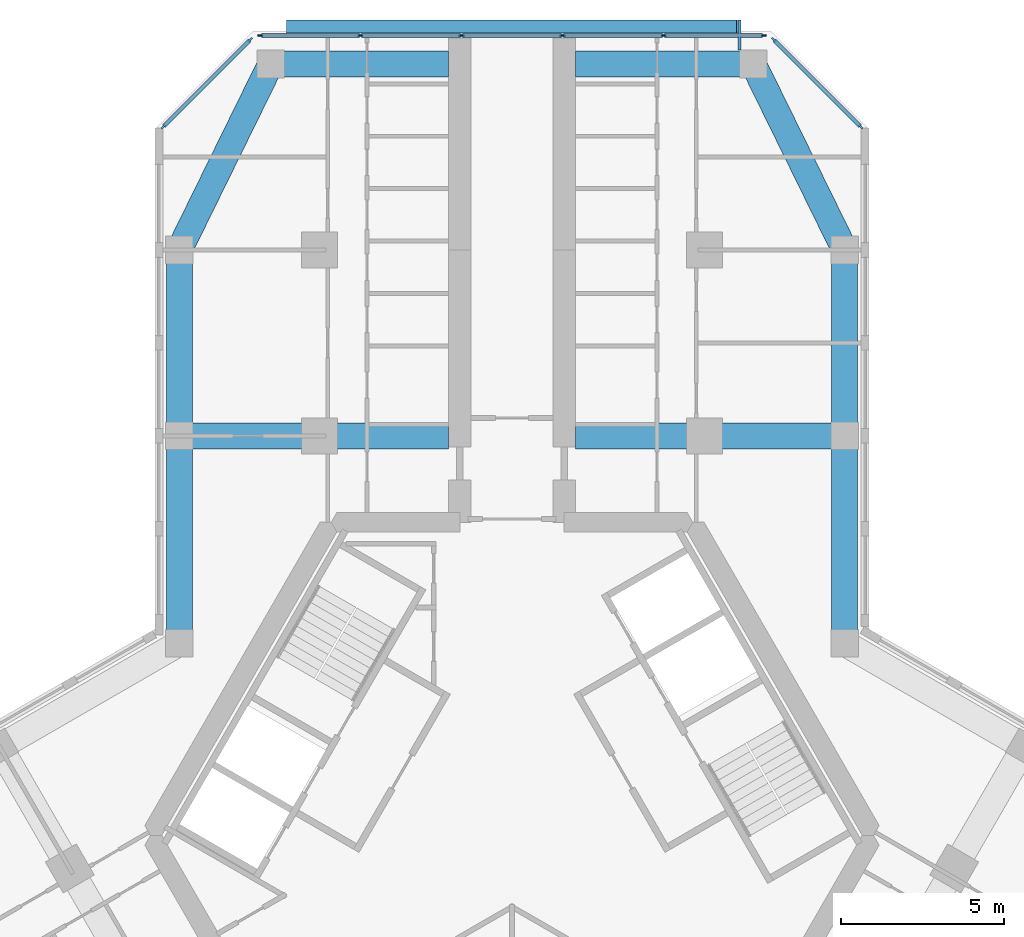
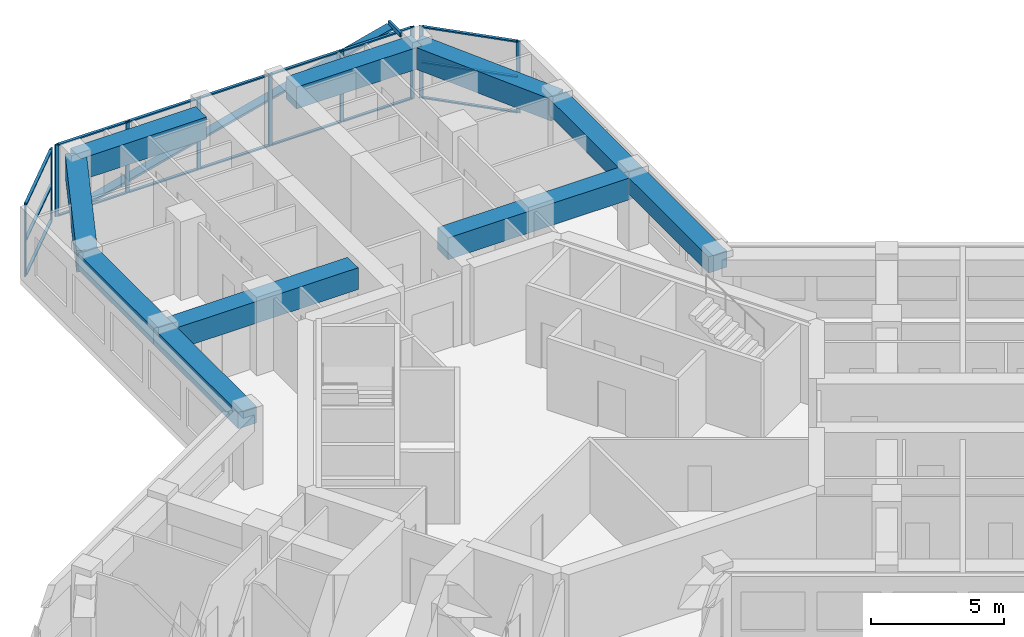
# One storey, part 6 of 16: 28 members, 10 beams, 3 elements without a shape of their own.
"""IFC4 building model written with IfcOpenShell, lengths in metres."""

from ifc_helpers import new_model, si_unit, direction, frame, origin, origin_2d, place, context, subcontext, project, spatial, rectangle, hollow_rectangle, extrude, material, material_profile, profile_set, type_object, element, aggregate, save


model = new_model("IFC4")

# Units and contexts
model_context = context("Model", 3, precision=1e-05, world=origin(), true_north=direction((0.0, 1.0)))
body_context = subcontext(model_context, "Body", "Model", "MODEL_VIEW")
ifc_project = project(units=[si_unit("LENGTHUNIT", "METRE"), si_unit("AREAUNIT", "SQUARE_METRE"), si_unit("VOLUMEUNIT", "CUBIC_METRE"), si_unit("PLANEANGLEUNIT", "RADIAN"), si_unit("MASSUNIT", "GRAM", prefix="KILO")], contexts=[model_context])

# Site, building, storey
site_placement = place(None, origin())
site = spatial("IfcSite", under=ifc_project, at=site_placement, CompositionType="ELEMENT")
building_placement = place(site_placement, origin())
building = spatial("IfcBuilding", under=site, at=building_placement, Name="Kosmar Iwan School Tower", CompositionType="ELEMENT")
storey_placement = place(building_placement, frame((0.0, 0.0, 256.800048828125)))
storey = spatial("IfcBuildingStorey", under=building, at=storey_placement, Name="L65", CompositionType="ELEMENT", Elevation=256.800048828125)

# Beams
ifc_material_1 = material(Name="Concrete C50/60", Category="concrete")
ifc_material_profile_1 = material_profile(ifc_material_1, rectangle(XDim=0.800048828125, YDim=0.75, at=origin_2d()), Name="RC 800x750 + HD 400x634")
ifc_profile_set_1 = profile_set([ifc_material_profile_1], Name="Concrete C50/60")
beam_type_1 = type_object("IfcBeamType", Name="Composite edge beam 800x750 HD 400x634", PredefinedType="BEAM", material=ifc_profile_set_1)
beam_1_placement = place(storey_placement, frame((-10.199951171875, 5.888916015625, 2.925048828125), z_axis=(0.0, 1.0, 0.0), x_axis=(-1.0, 0.0, 0.0)))
element("IfcBeam", 1, at=beam_1_placement, inside=storey, type_object=beam_type_1, Name="Edge beam AL1", PredefinedType="BEAM", context=body_context, shape_type="SweptSolid", body=[
    extrude(rectangle(XDim=0.800048828125, YDim=0.75, at=origin_2d()), origin(), (0.0, 0.0, 1.0), 6.361083984375),
])
beam_2_placement = place(storey_placement, frame((-10.199951171875, 12.25, 2.925048828125), z_axis=(0.0, 1.0, 0.0), x_axis=(-1.0, 0.0, 0.0)))
element("IfcBeam", 2, at=beam_2_placement, inside=storey, type_object=beam_type_1, Name="Edge beam AL2", PredefinedType="BEAM", context=body_context, shape_type="SweptSolid", body=[
    extrude(rectangle(XDim=0.800048828125, YDim=0.75, at=origin_2d()), origin(), (0.0, 0.0, 1.0), 5.699951171875),
])
beam_3_placement = place(storey_placement, frame((10.199951171875, 5.888916015625, 2.925048828125), z_axis=(0.0, 1.0, 0.0), x_axis=(-1.0, 0.0, 0.0)))
element("IfcBeam", 3, at=beam_3_placement, inside=storey, type_object=beam_type_1, Name="Edge beam AR1", PredefinedType="BEAM", context=body_context, shape_type="SweptSolid", body=[
    extrude(rectangle(XDim=0.800048828125, YDim=0.75, at=origin_2d()), origin(), (0.0, 0.0, 1.0), 6.361083984375),
])
beam_4_placement = place(storey_placement, frame((10.199951171875, 12.25, 2.925048828125), z_axis=(0.0, 1.0, 0.0), x_axis=(-1.0, 0.0, 0.0)))
element("IfcBeam", 4, at=beam_4_placement, inside=storey, type_object=beam_type_1, Name="Edge beam AR2", PredefinedType="BEAM", context=body_context, shape_type="SweptSolid", body=[
    extrude(rectangle(XDim=0.800048828125, YDim=0.75, at=origin_2d()), origin(), (0.0, 0.0, 1.0), 5.699951171875),
])
ifc_material_2 = material(Name="Concrete C50/60", Category="concrete")
ifc_material_profile_2 = material_profile(ifc_material_2, rectangle(XDim=0.800048828125, YDim=1.0, at=origin_2d()), Name="RC 800x1000 + HD 400x347")
ifc_profile_set_2 = profile_set([ifc_material_profile_2], Name="Concrete C50/60")
beam_type_2 = type_object("IfcBeamType", Name="Composite tip beam 800x1000 HD 400x347", PredefinedType="BEAM", material=ifc_profile_set_2)
beam_5_placement = place(storey_placement, frame((-10.199951171875, 17.949951171875, 2.800048828125), z_axis=(0.440913116462, 0.897549788999, 0.0), x_axis=(-0.897549788999, 0.440913116462, 0.0)))
element("IfcBeam", 5, at=beam_5_placement, inside=storey, type_object=beam_type_2, Name="Tip beam AL", PredefinedType="BEAM", context=body_context, shape_type="SweptSolid", body=[
    extrude(rectangle(XDim=0.800048828125, YDim=1.0, at=origin_2d()), origin(), (0.0, 0.0, 1.0), 6.3505859375),
])
beam_6_placement = place(storey_placement, frame((-7.39990234375, 23.64990234375, 2.800048828125), z_axis=(1.0, 0.0, 0.0), x_axis=(0.0, 1.0, 0.0)))
element("IfcBeam", 6, at=beam_6_placement, inside=storey, type_object=beam_type_2, Name="Tip beam AL to corridor wall", PredefinedType="BEAM", context=body_context, shape_type="SweptSolid", body=[
    extrude(rectangle(XDim=0.800048828125, YDim=1.0, at=origin_2d()), origin(), (0.0, 0.0, 1.0), 5.449951171875),
])
beam_7_placement = place(storey_placement, frame((10.199951171875, 17.949951171875, 2.800048828125), z_axis=(-0.440913116462, 0.897549788999, 0.0), x_axis=(-0.897549788999, -0.440913116462, 0.0)))
element("IfcBeam", 7, at=beam_7_placement, inside=storey, type_object=beam_type_2, Name="Tip beam AR", PredefinedType="BEAM", context=body_context, shape_type="SweptSolid", body=[
    extrude(rectangle(XDim=0.800048828125, YDim=1.0, at=origin_2d()), origin(), (0.0, 0.0, 1.0), 6.3505859375),
])
beam_8_placement = place(storey_placement, frame((7.39990234375, 23.64990234375, 2.800048828125), z_axis=(-1.0, 0.0, 0.0), x_axis=(0.0, -1.0, 0.0)))
element("IfcBeam", 8, at=beam_8_placement, inside=storey, type_object=beam_type_2, Name="Tip beam AR to corridor wall", PredefinedType="BEAM", context=body_context, shape_type="SweptSolid", body=[
    extrude(rectangle(XDim=0.800048828125, YDim=1.0, at=origin_2d()), origin(), (0.0, 0.0, 1.0), 5.449951171875),
])
ifc_material_3 = material(Name="Concrete C50/60", Category="concrete")
ifc_material_profile_3 = material_profile(ifc_material_3, rectangle(XDim=0.800048828125, YDim=1.0, at=origin_2d()), Name="RC 800x1000 + HD 400x634")
ifc_profile_set_3 = profile_set([ifc_material_profile_3], Name="Concrete C50/60")
beam_type_3 = type_object("IfcBeamType", Name="Composite transverse beam 800x1000 HD 400x634", PredefinedType="BEAM", material=ifc_profile_set_3)
for number, where, z_axis, x_axis, name in (
    (9, (-10.199951171875, 12.25, 2.800048828125), (1.0, 0.0, 0.0), (0.0, 1.0, 0.0), "Transverse beam AL1"),
    (10, (10.199951171875, 12.25, 2.800048828125), (-1.0, 0.0, 0.0), (0.0, -1.0, 0.0), "Transverse beam AR1"),
):
    element("IfcBeam", number, at=place(storey_placement, frame(where, z_axis=z_axis, x_axis=x_axis)), inside=storey, type_object=beam_type_3, Name=name, PredefinedType="BEAM", context=body_context, shape_type="SweptSolid", body=[
        extrude(rectangle(XDim=0.800048828125, YDim=1.0, at=origin_2d()), origin(), (0.0, 0.0, 1.0), 8.25),
    ])

# Members
ifc_material_4 = material(Name="Black anodised aluminium", Category="aluminium")
ifc_material_profile_4 = material_profile(ifc_material_4, rectangle(XDim=0.10009765625, YDim=0.39990234375, at=origin_2d()), Name="FIN 100x400")
ifc_profile_set_4 = profile_set([ifc_material_profile_4], Name="Black anodised aluminium")
member_type_1 = type_object("IfcMemberType", Name="Diagonal fin 100x400", PredefinedType="USERDEFINED", material=ifc_profile_set_4)
member_1_placement = place(storey_placement, frame((-6.898193359375, 24.800048828125, -0.150146484375), z_axis=(0.968452174919, 0.0, 0.249199488152), x_axis=(-0.249199488152, 0.0, 0.968452174919)))
element("IfcMember", 11, at=member_1_placement, inside=storey, type_object=member_type_1, Name="Diagonal fin L65-F06", ObjectType="FIN", PredefinedType="USERDEFINED", context=body_context, shape_type="SweptSolid", body=[
    extrude(rectangle(XDim=0.10009765625, YDim=0.39990234375, at=origin_2d()), origin(), (0.0, 0.0, 1.0), 14.245849609375),
])
ifc_material_5 = material(Name="Steel S355", Category="steel")
ifc_material_profile_5 = material_profile(ifc_material_5, hollow_rectangle(XDim=0.10009765625, YDim=0.199951171875, WallThickness=0.008056640625, at=origin_2d()), Name="RHS 200x100x8")
ifc_profile_set_5 = profile_set([ifc_material_profile_5], Name="Steel S355")
member_type_2 = type_object("IfcMemberType", Name="Fin bracket RHS 200x100", PredefinedType="USERDEFINED", material=ifc_profile_set_5)
member_2_placement = place(storey_placement, frame((6.97509765625, 24.074951171875, 3.449951171875), z_axis=(0.0, 1.0, 0.0), x_axis=(-1.0, 0.0, 0.0)))
element("IfcMember", 12, at=member_2_placement, inside=storey, type_object=member_type_2, Name="Fin bracket L66", ObjectType="FIN BRACKET", PredefinedType="USERDEFINED", context=body_context, shape_type="SweptSolid", body=[
    extrude(hollow_rectangle(XDim=0.10009765625, YDim=0.199951171875, WallThickness=0.008056640625, at=origin_2d()), origin(), (0.0, 0.0, 1.0), 0.925048828125),
])

# Curtain wall, members
ifc_material_6 = material(Name="Dark glass in black aluminium frame", Category="aluminium")
curtain_wall_type_1 = type_object("IfcCurtainWallType", Name="Chamfer curtain wall dark glass", PredefinedType="USERDEFINED", material=ifc_material_6)
curtain_wall_1_placement = place(storey_placement, origin())
curtain_wall_1 = element("IfcCurtainWall", 13, at=curtain_wall_1_placement, inside=storey, type_object=curtain_wall_type_1, Name="Curtain wall L65-F05", ObjectType="FACETED CURTAIN WALL", PredefinedType="USERDEFINED")
ifc_material_7 = material(Name="Black anodised aluminium", Category="aluminium")
ifc_material_profile_6 = material_profile(ifc_material_7, rectangle(XDim=0.06005859375, YDim=0.159912109375, at=origin_2d()), Name="MULLION 60x160")
ifc_profile_set_6 = profile_set([ifc_material_profile_6], Name="Black anodised aluminium")
member_type_3 = type_object("IfcMemberType", Name="Mullion 60x160", PredefinedType="MULLION", material=ifc_profile_set_6)
member_3_placement = place(storey_placement, frame((10.69775390625, 21.7255859375, 0.0), z_axis=(0.0, 0.0, 1.0), x_axis=(-0.707106781187, -0.707106781187, 0.0)))
member_3 = element("IfcMember", 14, at=member_3_placement, type_object=member_type_3, Name="CW2 mullion 1", PredefinedType="MULLION", context=body_context, shape_type="SweptSolid", body=[
    extrude(rectangle(XDim=0.06005859375, YDim=0.159912109375, at=origin_2d()), origin(), (0.0, 0.0, 1.0), 3.300048828125),
])
member_4_placement = place(storey_placement, frame((8.025390625, 24.397705078125, 0.0), z_axis=(0.0, 0.0, 1.0), x_axis=(-0.707106781187, -0.707106781187, 0.0)))
member_4 = element("IfcMember", 15, at=member_4_placement, type_object=member_type_3, Name="CW2 mullion 2", PredefinedType="MULLION", context=body_context, shape_type="SweptSolid", body=[
    extrude(rectangle(XDim=0.06005859375, YDim=0.159912109375, at=origin_2d()), origin(), (0.0, 0.0, 1.0), 3.300048828125),
])

ifc_material_8 = material(Name="Dark glass in black aluminium frame", Category="aluminium")
curtain_wall_type_2 = type_object("IfcCurtainWallType", Name="Tower curtain wall dark glass", PredefinedType="USERDEFINED", material=ifc_material_8)
curtain_wall_2_placement = place(storey_placement, origin())
curtain_wall_2 = element("IfcCurtainWall", 16, at=curtain_wall_2_placement, inside=storey, type_object=curtain_wall_type_2, Name="Curtain wall L65-F06", ObjectType="UNITISED CURTAIN WALL", PredefinedType="USERDEFINED")
member_5_placement = place(storey_placement, frame((7.71826171875, 24.52490234375, 0.0), z_axis=(0.0, 0.0, 1.0), x_axis=(0.0, -1.0, 0.0)))
member_5 = element("IfcMember", 17, at=member_5_placement, type_object=member_type_3, Name="CW1 mullion 1", PredefinedType="MULLION", context=body_context, shape_type="SweptSolid", body=[
    extrude(rectangle(XDim=0.06005859375, YDim=0.159912109375, at=origin_2d()), origin(), (0.0, 0.0, 1.0), 3.300048828125),
])
member_6_placement = place(storey_placement, frame((4.64892578125, 24.52490234375, 0.0), z_axis=(0.0, 0.0, 1.0), x_axis=(0.0, -1.0, 0.0)))
member_6 = element("IfcMember", 18, at=member_6_placement, type_object=member_type_3, Name="CW1 mullion 2", PredefinedType="MULLION", context=body_context, shape_type="SweptSolid", body=[
    extrude(rectangle(XDim=0.06005859375, YDim=0.159912109375, at=origin_2d()), origin(), (0.0, 0.0, 1.0), 3.300048828125),
])
member_7_placement = place(storey_placement, frame((1.549560546875, 24.52490234375, 0.0), z_axis=(0.0, 0.0, 1.0), x_axis=(0.0, -1.0, 0.0)))
member_7 = element("IfcMember", 19, at=member_7_placement, type_object=member_type_3, Name="CW1 mullion 3", PredefinedType="MULLION", context=body_context, shape_type="SweptSolid", body=[
    extrude(rectangle(XDim=0.06005859375, YDim=0.159912109375, at=origin_2d()), origin(), (0.0, 0.0, 1.0), 3.300048828125),
])
member_8_placement = place(storey_placement, frame((-1.549560546875, 24.52490234375, 0.0), z_axis=(0.0, 0.0, 1.0), x_axis=(0.0, -1.0, 0.0)))
member_8 = element("IfcMember", 20, at=member_8_placement, type_object=member_type_3, Name="CW1 mullion 4", PredefinedType="MULLION", context=body_context, shape_type="SweptSolid", body=[
    extrude(rectangle(XDim=0.06005859375, YDim=0.159912109375, at=origin_2d()), origin(), (0.0, 0.0, 1.0), 3.300048828125),
])
member_9_placement = place(storey_placement, frame((-4.64892578125, 24.52490234375, 0.0), z_axis=(0.0, 0.0, 1.0), x_axis=(0.0, -1.0, 0.0)))
member_9 = element("IfcMember", 21, at=member_9_placement, type_object=member_type_3, Name="CW1 mullion 5", PredefinedType="MULLION", context=body_context, shape_type="SweptSolid", body=[
    extrude(rectangle(XDim=0.06005859375, YDim=0.159912109375, at=origin_2d()), origin(), (0.0, 0.0, 1.0), 3.300048828125),
])
member_10_placement = place(storey_placement, frame((-7.71826171875, 24.52490234375, 0.0), z_axis=(0.0, 0.0, 1.0), x_axis=(0.0, -1.0, 0.0)))
member_10 = element("IfcMember", 22, at=member_10_placement, type_object=member_type_3, Name="CW1 mullion 6", PredefinedType="MULLION", context=body_context, shape_type="SweptSolid", body=[
    extrude(rectangle(XDim=0.06005859375, YDim=0.159912109375, at=origin_2d()), origin(), (0.0, 0.0, 1.0), 3.300048828125),
])

curtain_wall_3_placement = place(storey_placement, origin())
curtain_wall_3 = element("IfcCurtainWall", 23, at=curtain_wall_3_placement, inside=storey, type_object=curtain_wall_type_1, Name="Curtain wall L65-F07", ObjectType="FACETED CURTAIN WALL", PredefinedType="USERDEFINED")
member_11_placement = place(storey_placement, frame((-8.025390625, 24.397705078125, 0.0), z_axis=(0.0, 0.0, 1.0), x_axis=(0.707106781187, -0.707106781187, 0.0)))
member_11 = element("IfcMember", 24, at=member_11_placement, type_object=member_type_3, Name="CW2 mullion 1", PredefinedType="MULLION", context=body_context, shape_type="SweptSolid", body=[
    extrude(rectangle(XDim=0.06005859375, YDim=0.159912109375, at=origin_2d()), origin(), (0.0, 0.0, 1.0), 3.300048828125),
])
member_12_placement = place(storey_placement, frame((-10.69775390625, 21.7255859375, 0.0), z_axis=(0.0, 0.0, 1.0), x_axis=(0.707106781187, -0.707106781187, 0.0)))
member_12 = element("IfcMember", 25, at=member_12_placement, type_object=member_type_3, Name="CW2 mullion 2", PredefinedType="MULLION", context=body_context, shape_type="SweptSolid", body=[
    extrude(rectangle(XDim=0.06005859375, YDim=0.159912109375, at=origin_2d()), origin(), (0.0, 0.0, 1.0), 3.300048828125),
])

# Member
ifc_material_9 = material(Name="Black anodised aluminium", Category="aluminium")
ifc_material_profile_7 = material_profile(ifc_material_9, rectangle(XDim=0.1201171875, YDim=0.06005859375, at=origin_2d()), Name="TRANSOM 60x120")
ifc_profile_set_7 = profile_set([ifc_material_profile_7], Name="Black anodised aluminium")
member_type_4 = type_object("IfcMemberType", Name="Transom 60x120", PredefinedType="USERDEFINED", material=ifc_profile_set_7)
member_13_placement = place(storey_placement, frame((10.676513671875, 21.746826171875, 0.030029296875), z_axis=(-0.707139603466, 0.707073957383, 0.0), x_axis=(-0.707073957383, -0.707139603466, 0.0)))
member_13 = element("IfcMember", 26, at=member_13_placement, type_object=member_type_4, Name="CW2 transom 1.1", ObjectType="TRANSOM", PredefinedType="USERDEFINED", context=body_context, shape_type="SweptSolid", body=[
    extrude(rectangle(XDim=0.1201171875, YDim=0.06005859375, at=origin_2d()), origin(), (0.0, 0.0, 1.0), 3.718994140625),
])

member_14_placement = place(storey_placement, frame((10.676513671875, 21.746826171875, 1.64990234375), z_axis=(-0.707139603466, 0.707073957383, 0.0), x_axis=(-0.707073957383, -0.707139603466, 0.0)))
member_14 = element("IfcMember", 27, at=member_14_placement, type_object=member_type_4, Name="CW2 transom 1.2", ObjectType="TRANSOM", PredefinedType="USERDEFINED", context=body_context, shape_type="SweptSolid", body=[
    extrude(rectangle(XDim=0.1201171875, YDim=0.06005859375, at=origin_2d()), origin(), (0.0, 0.0, 1.0), 3.718994140625),
])

member_15_placement = place(storey_placement, frame((10.676513671875, 21.746826171875, 3.27001953125), z_axis=(-0.707139603466, 0.707073957383, 0.0), x_axis=(-0.707073957383, -0.707139603466, 0.0)))
member_15 = element("IfcMember", 28, at=member_15_placement, type_object=member_type_4, Name="CW2 transom 1.3", ObjectType="TRANSOM", PredefinedType="USERDEFINED", context=body_context, shape_type="SweptSolid", body=[
    extrude(rectangle(XDim=0.1201171875, YDim=0.06005859375, at=origin_2d()), origin(), (0.0, 0.0, 1.0), 3.718994140625),
])

aggregate(curtain_wall_1, [member_3, member_4, member_13, member_14, member_15])

member_16_placement = place(storey_placement, frame((7.688232421875, 24.52490234375, 0.030029296875), z_axis=(-1.0, 0.0, 0.0), x_axis=(0.0, -1.0, 0.0)))
member_16 = element("IfcMember", 29, at=member_16_placement, type_object=member_type_4, Name="CW1 transom 1.1", ObjectType="TRANSOM", PredefinedType="USERDEFINED", context=body_context, shape_type="SweptSolid", body=[
    extrude(rectangle(XDim=0.1201171875, YDim=0.06005859375, at=origin_2d()), origin(), (0.0, 0.0, 1.0), 3.00927734375),
])

member_17_placement = place(storey_placement, frame((7.688232421875, 24.52490234375, 3.27001953125), z_axis=(-1.0, 0.0, 0.0), x_axis=(0.0, -1.0, 0.0)))
member_17 = element("IfcMember", 30, at=member_17_placement, type_object=member_type_4, Name="CW1 transom 1.2", ObjectType="TRANSOM", PredefinedType="USERDEFINED", context=body_context, shape_type="SweptSolid", body=[
    extrude(rectangle(XDim=0.1201171875, YDim=0.06005859375, at=origin_2d()), origin(), (0.0, 0.0, 1.0), 3.00927734375),
])

member_18_placement = place(storey_placement, frame((4.618896484375, 24.52490234375, 0.030029296875), z_axis=(-1.0, 0.0, 0.0), x_axis=(0.0, -1.0, 0.0)))
member_18 = element("IfcMember", 31, at=member_18_placement, type_object=member_type_4, Name="CW1 transom 2.1", ObjectType="TRANSOM", PredefinedType="USERDEFINED", context=body_context, shape_type="SweptSolid", body=[
    extrude(rectangle(XDim=0.1201171875, YDim=0.06005859375, at=origin_2d()), origin(), (0.0, 0.0, 1.0), 3.039306640625),
])

member_19_placement = place(storey_placement, frame((4.618896484375, 24.52490234375, 3.27001953125), z_axis=(-1.0, 0.0, 0.0), x_axis=(0.0, -1.0, 0.0)))
member_19 = element("IfcMember", 32, at=member_19_placement, type_object=member_type_4, Name="CW1 transom 2.2", ObjectType="TRANSOM", PredefinedType="USERDEFINED", context=body_context, shape_type="SweptSolid", body=[
    extrude(rectangle(XDim=0.1201171875, YDim=0.06005859375, at=origin_2d()), origin(), (0.0, 0.0, 1.0), 3.039306640625),
])

member_20_placement = place(storey_placement, frame((1.51953125, 24.52490234375, 0.030029296875), z_axis=(-1.0, 0.0, 0.0), x_axis=(0.0, -1.0, 0.0)))
member_20 = element("IfcMember", 33, at=member_20_placement, type_object=member_type_4, Name="CW1 transom 3.1", ObjectType="TRANSOM", PredefinedType="USERDEFINED", context=body_context, shape_type="SweptSolid", body=[
    extrude(rectangle(XDim=0.1201171875, YDim=0.06005859375, at=origin_2d()), origin(), (0.0, 0.0, 1.0), 3.0390625),
])

member_21_placement = place(storey_placement, frame((1.51953125, 24.52490234375, 3.27001953125), z_axis=(-1.0, 0.0, 0.0), x_axis=(0.0, -1.0, 0.0)))
member_21 = element("IfcMember", 34, at=member_21_placement, type_object=member_type_4, Name="CW1 transom 3.2", ObjectType="TRANSOM", PredefinedType="USERDEFINED", context=body_context, shape_type="SweptSolid", body=[
    extrude(rectangle(XDim=0.1201171875, YDim=0.06005859375, at=origin_2d()), origin(), (0.0, 0.0, 1.0), 3.0390625),
])

member_22_placement = place(storey_placement, frame((-1.57958984375, 24.52490234375, 0.030029296875), z_axis=(-1.0, 0.0, 0.0), x_axis=(0.0, -1.0, 0.0)))
member_22 = element("IfcMember", 35, at=member_22_placement, type_object=member_type_4, Name="CW1 transom 4.1", ObjectType="TRANSOM", PredefinedType="USERDEFINED", context=body_context, shape_type="SweptSolid", body=[
    extrude(rectangle(XDim=0.1201171875, YDim=0.06005859375, at=origin_2d()), origin(), (0.0, 0.0, 1.0), 3.039306640625),
])

member_23_placement = place(storey_placement, frame((-1.57958984375, 24.52490234375, 3.27001953125), z_axis=(-1.0, 0.0, 0.0), x_axis=(0.0, -1.0, 0.0)))
member_23 = element("IfcMember", 36, at=member_23_placement, type_object=member_type_4, Name="CW1 transom 4.2", ObjectType="TRANSOM", PredefinedType="USERDEFINED", context=body_context, shape_type="SweptSolid", body=[
    extrude(rectangle(XDim=0.1201171875, YDim=0.06005859375, at=origin_2d()), origin(), (0.0, 0.0, 1.0), 3.039306640625),
])

member_24_placement = place(storey_placement, frame((-4.678955078125, 24.52490234375, 0.030029296875), z_axis=(-1.0, 0.0, 0.0), x_axis=(0.0, -1.0, 0.0)))
member_24 = element("IfcMember", 37, at=member_24_placement, type_object=member_type_4, Name="CW1 transom 5.1", ObjectType="TRANSOM", PredefinedType="USERDEFINED", context=body_context, shape_type="SweptSolid", body=[
    extrude(rectangle(XDim=0.1201171875, YDim=0.06005859375, at=origin_2d()), origin(), (0.0, 0.0, 1.0), 3.00927734375),
])

member_25_placement = place(storey_placement, frame((-4.678955078125, 24.52490234375, 3.27001953125), z_axis=(-1.0, 0.0, 0.0), x_axis=(0.0, -1.0, 0.0)))
member_25 = element("IfcMember", 38, at=member_25_placement, type_object=member_type_4, Name="CW1 transom 5.2", ObjectType="TRANSOM", PredefinedType="USERDEFINED", context=body_context, shape_type="SweptSolid", body=[
    extrude(rectangle(XDim=0.1201171875, YDim=0.06005859375, at=origin_2d()), origin(), (0.0, 0.0, 1.0), 3.00927734375),
])

aggregate(curtain_wall_2, [member_5, member_6, member_7, member_8, member_9, member_10, member_16, member_17, member_18, member_19, member_20, member_21, member_22, member_23, member_24, member_25])

member_26_placement = place(storey_placement, frame((-8.046630859375, 24.37646484375, 0.030029296875), z_axis=(-0.707139603466, -0.707073957383, 0.0), x_axis=(0.707073957383, -0.707139603466, 0.0)))
member_26 = element("IfcMember", 39, at=member_26_placement, type_object=member_type_4, Name="CW2 transom 1.1", ObjectType="TRANSOM", PredefinedType="USERDEFINED", context=body_context, shape_type="SweptSolid", body=[
    extrude(rectangle(XDim=0.1201171875, YDim=0.06005859375, at=origin_2d()), origin(), (0.0, 0.0, 1.0), 3.718994140625),
])

member_27_placement = place(storey_placement, frame((-8.046630859375, 24.37646484375, 1.64990234375), z_axis=(-0.707139603466, -0.707073957383, 0.0), x_axis=(0.707073957383, -0.707139603466, 0.0)))
member_27 = element("IfcMember", 40, at=member_27_placement, type_object=member_type_4, Name="CW2 transom 1.2", ObjectType="TRANSOM", PredefinedType="USERDEFINED", context=body_context, shape_type="SweptSolid", body=[
    extrude(rectangle(XDim=0.1201171875, YDim=0.06005859375, at=origin_2d()), origin(), (0.0, 0.0, 1.0), 3.718994140625),
])

member_28_placement = place(storey_placement, frame((-8.046630859375, 24.37646484375, 3.27001953125), z_axis=(-0.707139603466, -0.707073957383, 0.0), x_axis=(0.707073957383, -0.707139603466, 0.0)))
member_28 = element("IfcMember", 41, at=member_28_placement, type_object=member_type_4, Name="CW2 transom 1.3", ObjectType="TRANSOM", PredefinedType="USERDEFINED", context=body_context, shape_type="SweptSolid", body=[
    extrude(rectangle(XDim=0.1201171875, YDim=0.06005859375, at=origin_2d()), origin(), (0.0, 0.0, 1.0), 3.718994140625),
])

aggregate(curtain_wall_3, [member_11, member_12, member_26, member_27, member_28])

save(model, "model.ifc")
